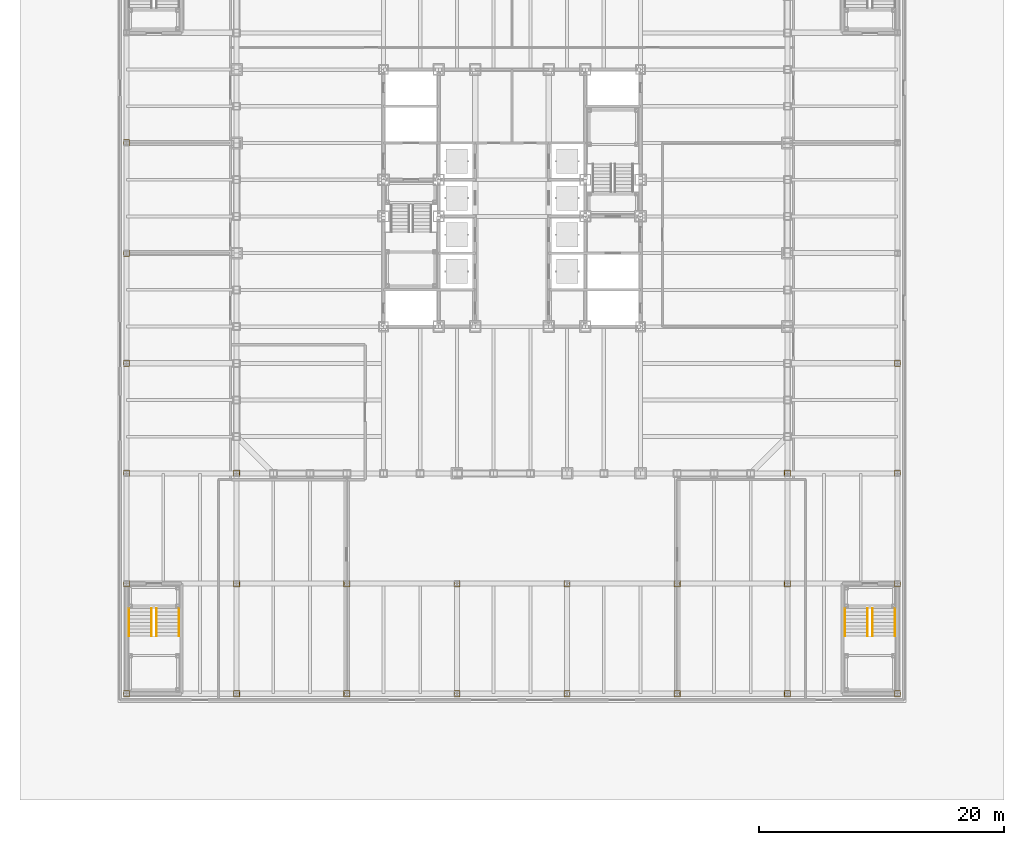
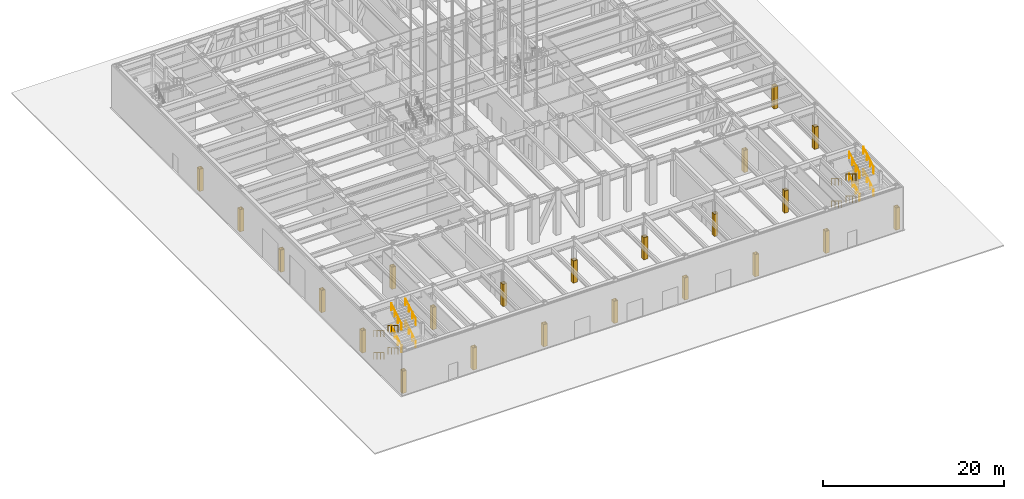
# One storey, part 16 of 35: 24 coverings, 16 railings.
"""IFC4 building model written with IfcOpenShell, lengths in metres."""

from ifc_helpers import new_model, si_unit, direction, frame, origin, origin_2d, place, context, subcontext, project, spatial, polyline, circle, outline, extrude, material, layer, layer_set, type_object, element, save


model = new_model("IFC4")

# Units and contexts
model_context = context("Model", 3, precision=1e-05, world=origin(), true_north=direction((0.0, 1.0)))
body_context = subcontext(model_context, "Body", "Model", "MODEL_VIEW")
ifc_project = project(units=[si_unit("LENGTHUNIT", "METRE"), si_unit("AREAUNIT", "SQUARE_METRE"), si_unit("VOLUMEUNIT", "CUBIC_METRE"), si_unit("PLANEANGLEUNIT", "RADIAN"), si_unit("MASSUNIT", "GRAM", prefix="KILO")], contexts=[model_context])

# Site, building, storey
site_placement = place(None, origin())
site = spatial("IfcSite", under=ifc_project, at=site_placement, CompositionType="ELEMENT")
building_placement = place(site_placement, origin())
building = spatial("IfcBuilding", under=site, at=building_placement, Name="Chuquiago Exchange Tower", CompositionType="ELEMENT")
storey_placement = place(building_placement, origin())
storey = spatial("IfcBuildingStorey", under=building, at=storey_placement, Name="L00", CompositionType="ELEMENT", Elevation=0.0)

# Coverings
ifc_material_1 = material(Name="Pale metal sheet casing on rails", Category="aluminium")
ifc_layer = layer(ifc_material_1, 0.050048828125)
ifc_layer_set = layer_set([ifc_layer], Name="CS1 column casing 50")
covering_type = type_object("IfcCoveringType", Name="CS1 column casing 50", PredefinedType="CLADDING", material=ifc_layer_set)
covering_1_placement = place(storey_placement, origin())
element("IfcCovering", 1, at=covering_1_placement, inside=storey, type_object=covering_type, Name="Column casing L00", PredefinedType="CLADDING", context=body_context, shape_type="SweptSolid", body=[
    extrude(outline(polyline([(-9.255615234375, -18.26708984375), (-8.744384765625, -18.26708984375), (-8.744384765625, -17.73291015625), (-9.255615234375, -17.73291015625), (-9.255615234375, -18.26708984375)]), holes=[polyline([(-9.205810546875, -18.21728515625), (-9.205810546875, -17.78271484375), (-8.794189453125, -17.78271484375), (-8.794189453125, -18.21728515625), (-9.205810546875, -18.21728515625)])]), origin(), (0.0, 0.0, 1.0), 3.0),
])
covering_2_placement = place(storey_placement, origin())
element("IfcCovering", 2, at=covering_2_placement, inside=storey, type_object=covering_type, Name="Column casing L00", PredefinedType="CLADDING", context=body_context, shape_type="SweptSolid", body=[
    extrude(outline(polyline([(-9.255615234375, -9.26708984375), (-8.744384765625, -9.26708984375), (-8.744384765625, -8.73291015625), (-9.255615234375, -8.73291015625), (-9.255615234375, -9.26708984375)]), holes=[polyline([(-9.205810546875, -9.21728515625), (-9.205810546875, -8.78271484375), (-8.794189453125, -8.78271484375), (-8.794189453125, -9.21728515625), (-9.205810546875, -9.21728515625)])]), origin(), (0.0, 0.0, 1.0), 3.0),
])
covering_3_placement = place(storey_placement, origin())
element("IfcCovering", 3, at=covering_3_placement, inside=storey, type_object=covering_type, Name="Column casing L00", PredefinedType="CLADDING", context=body_context, shape_type="SweptSolid", body=[
    extrude(outline(polyline([(-9.255615234375, -0.26708984375), (-8.744384765625, -0.26708984375), (-8.744384765625, 0.26708984375), (-9.255615234375, 0.26708984375), (-9.255615234375, -0.26708984375)]), holes=[polyline([(-9.205810546875, -0.21728515625), (-9.205810546875, 0.21728515625), (-8.794189453125, 0.21728515625), (-8.794189453125, -0.21728515625), (-9.205810546875, -0.21728515625)])]), origin(), (0.0, 0.0, 1.0), 3.0),
])
covering_4_placement = place(storey_placement, origin())
element("IfcCovering", 4, at=covering_4_placement, inside=storey, type_object=covering_type, Name="Column casing L00", PredefinedType="CLADDING", context=body_context, shape_type="SweptSolid", body=[
    extrude(outline(polyline([(-9.255615234375, 8.73291015625), (-8.744384765625, 8.73291015625), (-8.744384765625, 9.26708984375), (-9.255615234375, 9.26708984375), (-9.255615234375, 8.73291015625)]), holes=[polyline([(-9.205810546875, 8.78271484375), (-9.205810546875, 9.21728515625), (-8.794189453125, 9.21728515625), (-8.794189453125, 8.78271484375), (-9.205810546875, 8.78271484375)])]), origin(), (0.0, 0.0, 1.0), 3.0),
])
covering_5_placement = place(storey_placement, origin())
element("IfcCovering", 5, at=covering_5_placement, inside=storey, type_object=covering_type, Name="Column casing L00", PredefinedType="CLADDING", context=body_context, shape_type="SweptSolid", body=[
    extrude(outline(polyline([(-9.255615234375, 17.73291015625), (-8.744384765625, 17.73291015625), (-8.744384765625, 18.26708984375), (-9.255615234375, 18.26708984375), (-9.255615234375, 17.73291015625)]), holes=[polyline([(-9.205810546875, 17.78271484375), (-9.205810546875, 18.21728515625), (-8.794189453125, 18.21728515625), (-8.794189453125, 17.78271484375), (-9.205810546875, 17.78271484375)])]), origin(), (0.0, 0.0, 1.0), 3.0),
])
covering_6_placement = place(storey_placement, origin())
element("IfcCovering", 6, at=covering_6_placement, inside=storey, type_object=covering_type, Name="Column casing L00", PredefinedType="CLADDING", context=body_context, shape_type="SweptSolid", body=[
    extrude(outline(polyline([(-9.255615234375, 26.73291015625), (-8.744384765625, 26.73291015625), (-8.744384765625, 27.26708984375), (-9.255615234375, 27.26708984375), (-9.255615234375, 26.73291015625)]), holes=[polyline([(-9.205810546875, 26.78271484375), (-9.205810546875, 27.21728515625), (-8.794189453125, 27.21728515625), (-8.794189453125, 26.78271484375), (-9.205810546875, 26.78271484375)])]), origin(), (0.0, 0.0, 1.0), 3.0),
])
covering_7_placement = place(storey_placement, origin())
element("IfcCovering", 7, at=covering_7_placement, inside=storey, type_object=covering_type, Name="Column casing L00", PredefinedType="CLADDING", context=body_context, shape_type="SweptSolid", body=[
    extrude(outline(polyline([(-0.255615234375, -18.26708984375), (0.255615234375, -18.26708984375), (0.255615234375, -17.73291015625), (-0.255615234375, -17.73291015625), (-0.255615234375, -18.26708984375)]), holes=[polyline([(-0.205810546875, -18.21728515625), (-0.205810546875, -17.78271484375), (0.205810546875, -17.78271484375), (0.205810546875, -18.21728515625), (-0.205810546875, -18.21728515625)])]), origin(), (0.0, 0.0, 1.0), 3.0),
])
covering_8_placement = place(storey_placement, origin())
element("IfcCovering", 8, at=covering_8_placement, inside=storey, type_object=covering_type, Name="Column casing L00", PredefinedType="CLADDING", context=body_context, shape_type="SweptSolid", body=[
    extrude(outline(polyline([(-0.255615234375, -9.26708984375), (0.255615234375, -9.26708984375), (0.255615234375, -8.73291015625), (-0.255615234375, -8.73291015625), (-0.255615234375, -9.26708984375)]), holes=[polyline([(-0.205810546875, -9.21728515625), (-0.205810546875, -8.78271484375), (0.205810546875, -8.78271484375), (0.205810546875, -9.21728515625), (-0.205810546875, -9.21728515625)])]), origin(), (0.0, 0.0, 1.0), 3.0),
])
covering_9_placement = place(storey_placement, origin())
element("IfcCovering", 9, at=covering_9_placement, inside=storey, type_object=covering_type, Name="Column casing L00", PredefinedType="CLADDING", context=body_context, shape_type="SweptSolid", body=[
    extrude(outline(polyline([(-0.255615234375, -0.26708984375), (0.255615234375, -0.26708984375), (0.255615234375, 0.26708984375), (-0.255615234375, 0.26708984375), (-0.255615234375, -0.26708984375)]), holes=[polyline([(-0.205810546875, -0.21728515625), (-0.205810546875, 0.21728515625), (0.205810546875, 0.21728515625), (0.205810546875, -0.21728515625), (-0.205810546875, -0.21728515625)])]), origin(), (0.0, 0.0, 1.0), 3.0),
])
covering_10_placement = place(storey_placement, origin())
element("IfcCovering", 10, at=covering_10_placement, inside=storey, type_object=covering_type, Name="Column casing L00", PredefinedType="CLADDING", context=body_context, shape_type="SweptSolid", body=[
    extrude(outline(polyline([(8.744384765625, -18.26708984375), (9.255615234375, -18.26708984375), (9.255615234375, -17.73291015625), (8.744384765625, -17.73291015625), (8.744384765625, -18.26708984375)]), holes=[polyline([(8.794189453125, -18.21728515625), (8.794189453125, -17.78271484375), (9.205810546875, -17.78271484375), (9.205810546875, -18.21728515625), (8.794189453125, -18.21728515625)])]), origin(), (0.0, 0.0, 1.0), 3.0),
])
covering_11_placement = place(storey_placement, origin())
element("IfcCovering", 11, at=covering_11_placement, inside=storey, type_object=covering_type, Name="Column casing L00", PredefinedType="CLADDING", context=body_context, shape_type="SweptSolid", body=[
    extrude(outline(polyline([(8.744384765625, -9.26708984375), (9.255615234375, -9.26708984375), (9.255615234375, -8.73291015625), (8.744384765625, -8.73291015625), (8.744384765625, -9.26708984375)]), holes=[polyline([(8.794189453125, -9.21728515625), (8.794189453125, -8.78271484375), (9.205810546875, -8.78271484375), (9.205810546875, -9.21728515625), (8.794189453125, -9.21728515625)])]), origin(), (0.0, 0.0, 1.0), 3.0),
])
covering_12_placement = place(storey_placement, origin())
element("IfcCovering", 12, at=covering_12_placement, inside=storey, type_object=covering_type, Name="Column casing L00", PredefinedType="CLADDING", context=body_context, shape_type="SweptSolid", body=[
    extrude(outline(polyline([(17.744384765625, -18.26708984375), (18.255615234375, -18.26708984375), (18.255615234375, -17.73291015625), (17.744384765625, -17.73291015625), (17.744384765625, -18.26708984375)]), holes=[polyline([(17.794189453125, -18.21728515625), (17.794189453125, -17.78271484375), (18.205810546875, -17.78271484375), (18.205810546875, -18.21728515625), (17.794189453125, -18.21728515625)])]), origin(), (0.0, 0.0, 1.0), 3.0),
])
covering_13_placement = place(storey_placement, origin())
element("IfcCovering", 13, at=covering_13_placement, inside=storey, type_object=covering_type, Name="Column casing L00", PredefinedType="CLADDING", context=body_context, shape_type="SweptSolid", body=[
    extrude(outline(polyline([(17.744384765625, -9.26708984375), (18.255615234375, -9.26708984375), (18.255615234375, -8.73291015625), (17.744384765625, -8.73291015625), (17.744384765625, -9.26708984375)]), holes=[polyline([(17.794189453125, -9.21728515625), (17.794189453125, -8.78271484375), (18.205810546875, -8.78271484375), (18.205810546875, -9.21728515625), (17.794189453125, -9.21728515625)])]), origin(), (0.0, 0.0, 1.0), 3.0),
])
covering_14_placement = place(storey_placement, origin())
element("IfcCovering", 14, at=covering_14_placement, inside=storey, type_object=covering_type, Name="Column casing L00", PredefinedType="CLADDING", context=body_context, shape_type="SweptSolid", body=[
    extrude(outline(polyline([(26.744384765625, -18.26708984375), (27.255615234375, -18.26708984375), (27.255615234375, -17.73291015625), (26.744384765625, -17.73291015625), (26.744384765625, -18.26708984375)]), holes=[polyline([(26.794189453125, -18.21728515625), (26.794189453125, -17.78271484375), (27.205810546875, -17.78271484375), (27.205810546875, -18.21728515625), (26.794189453125, -18.21728515625)])]), origin(), (0.0, 0.0, 1.0), 3.0),
])
covering_15_placement = place(storey_placement, origin())
element("IfcCovering", 15, at=covering_15_placement, inside=storey, type_object=covering_type, Name="Column casing L00", PredefinedType="CLADDING", context=body_context, shape_type="SweptSolid", body=[
    extrude(outline(polyline([(26.744384765625, -9.26708984375), (27.255615234375, -9.26708984375), (27.255615234375, -8.73291015625), (26.744384765625, -8.73291015625), (26.744384765625, -9.26708984375)]), holes=[polyline([(26.794189453125, -9.21728515625), (26.794189453125, -8.78271484375), (27.205810546875, -8.78271484375), (27.205810546875, -9.21728515625), (26.794189453125, -9.21728515625)])]), origin(), (0.0, 0.0, 1.0), 3.0),
])
covering_16_placement = place(storey_placement, origin())
element("IfcCovering", 16, at=covering_16_placement, inside=storey, type_object=covering_type, Name="Column casing L00", PredefinedType="CLADDING", context=body_context, shape_type="SweptSolid", body=[
    extrude(outline(polyline([(35.744384765625, -18.26708984375), (36.255615234375, -18.26708984375), (36.255615234375, -17.73291015625), (35.744384765625, -17.73291015625), (35.744384765625, -18.26708984375)]), holes=[polyline([(35.794189453125, -18.21728515625), (35.794189453125, -17.78271484375), (36.205810546875, -17.78271484375), (36.205810546875, -18.21728515625), (35.794189453125, -18.21728515625)])]), origin(), (0.0, 0.0, 1.0), 3.0),
])
covering_17_placement = place(storey_placement, origin())
element("IfcCovering", 17, at=covering_17_placement, inside=storey, type_object=covering_type, Name="Column casing L00", PredefinedType="CLADDING", context=body_context, shape_type="SweptSolid", body=[
    extrude(outline(polyline([(35.744384765625, -9.26708984375), (36.255615234375, -9.26708984375), (36.255615234375, -8.73291015625), (35.744384765625, -8.73291015625), (35.744384765625, -9.26708984375)]), holes=[polyline([(35.794189453125, -9.21728515625), (35.794189453125, -8.78271484375), (36.205810546875, -8.78271484375), (36.205810546875, -9.21728515625), (35.794189453125, -9.21728515625)])]), origin(), (0.0, 0.0, 1.0), 3.0),
])
covering_18_placement = place(storey_placement, origin())
element("IfcCovering", 18, at=covering_18_placement, inside=storey, type_object=covering_type, Name="Column casing L00", PredefinedType="CLADDING", context=body_context, shape_type="SweptSolid", body=[
    extrude(outline(polyline([(44.744384765625, -18.26708984375), (45.255615234375, -18.26708984375), (45.255615234375, -17.73291015625), (44.744384765625, -17.73291015625), (44.744384765625, -18.26708984375)]), holes=[polyline([(44.794189453125, -18.21728515625), (44.794189453125, -17.78271484375), (45.205810546875, -17.78271484375), (45.205810546875, -18.21728515625), (44.794189453125, -18.21728515625)])]), origin(), (0.0, 0.0, 1.0), 3.0),
])
covering_19_placement = place(storey_placement, origin())
element("IfcCovering", 19, at=covering_19_placement, inside=storey, type_object=covering_type, Name="Column casing L00", PredefinedType="CLADDING", context=body_context, shape_type="SweptSolid", body=[
    extrude(outline(polyline([(44.744384765625, -9.26708984375), (45.255615234375, -9.26708984375), (45.255615234375, -8.73291015625), (44.744384765625, -8.73291015625), (44.744384765625, -9.26708984375)]), holes=[polyline([(44.794189453125, -9.21728515625), (44.794189453125, -8.78271484375), (45.205810546875, -8.78271484375), (45.205810546875, -9.21728515625), (44.794189453125, -9.21728515625)])]), origin(), (0.0, 0.0, 1.0), 3.0),
])
covering_20_placement = place(storey_placement, origin())
element("IfcCovering", 20, at=covering_20_placement, inside=storey, type_object=covering_type, Name="Column casing L00", PredefinedType="CLADDING", context=body_context, shape_type="SweptSolid", body=[
    extrude(outline(polyline([(44.744384765625, -0.26708984375), (45.255615234375, -0.26708984375), (45.255615234375, 0.26708984375), (44.744384765625, 0.26708984375), (44.744384765625, -0.26708984375)]), holes=[polyline([(44.794189453125, -0.21728515625), (44.794189453125, 0.21728515625), (45.205810546875, 0.21728515625), (45.205810546875, -0.21728515625), (44.794189453125, -0.21728515625)])]), origin(), (0.0, 0.0, 1.0), 3.0),
])
covering_21_placement = place(storey_placement, origin())
element("IfcCovering", 21, at=covering_21_placement, inside=storey, type_object=covering_type, Name="Column casing L00", PredefinedType="CLADDING", context=body_context, shape_type="SweptSolid", body=[
    extrude(outline(polyline([(53.744384765625, -18.26708984375), (54.255615234375, -18.26708984375), (54.255615234375, -17.73291015625), (53.744384765625, -17.73291015625), (53.744384765625, -18.26708984375)]), holes=[polyline([(53.794189453125, -18.21728515625), (53.794189453125, -17.78271484375), (54.205810546875, -17.78271484375), (54.205810546875, -18.21728515625), (53.794189453125, -18.21728515625)])]), origin(), (0.0, 0.0, 1.0), 3.0),
])
covering_22_placement = place(storey_placement, origin())
element("IfcCovering", 22, at=covering_22_placement, inside=storey, type_object=covering_type, Name="Column casing L00", PredefinedType="CLADDING", context=body_context, shape_type="SweptSolid", body=[
    extrude(outline(polyline([(53.744384765625, -9.26708984375), (54.255615234375, -9.26708984375), (54.255615234375, -8.73291015625), (53.744384765625, -8.73291015625), (53.744384765625, -9.26708984375)]), holes=[polyline([(53.794189453125, -9.21728515625), (53.794189453125, -8.78271484375), (54.205810546875, -8.78271484375), (54.205810546875, -9.21728515625), (53.794189453125, -9.21728515625)])]), origin(), (0.0, 0.0, 1.0), 3.0),
])
covering_23_placement = place(storey_placement, origin())
element("IfcCovering", 23, at=covering_23_placement, inside=storey, type_object=covering_type, Name="Column casing L00", PredefinedType="CLADDING", context=body_context, shape_type="SweptSolid", body=[
    extrude(outline(polyline([(53.744384765625, -0.26708984375), (54.255615234375, -0.26708984375), (54.255615234375, 0.26708984375), (53.744384765625, 0.26708984375), (53.744384765625, -0.26708984375)]), holes=[polyline([(53.794189453125, -0.21728515625), (53.794189453125, 0.21728515625), (54.205810546875, 0.21728515625), (54.205810546875, -0.21728515625), (53.794189453125, -0.21728515625)])]), origin(), (0.0, 0.0, 1.0), 3.0),
])
covering_24_placement = place(storey_placement, origin())
element("IfcCovering", 24, at=covering_24_placement, inside=storey, type_object=covering_type, Name="Column casing L00", PredefinedType="CLADDING", context=body_context, shape_type="SweptSolid", body=[
    extrude(outline(polyline([(53.744384765625, 8.73291015625), (54.255615234375, 8.73291015625), (54.255615234375, 9.26708984375), (53.744384765625, 9.26708984375), (53.744384765625, 8.73291015625)]), holes=[polyline([(53.794189453125, 8.78271484375), (53.794189453125, 9.21728515625), (54.205810546875, 9.21728515625), (54.205810546875, 8.78271484375), (53.794189453125, 8.78271484375)])]), origin(), (0.0, 0.0, 1.0), 3.0),
])

# Railings
ifc_material_2 = material(Name="Pale metal handrail", Category="steel")
railing_type = type_object("IfcRailingType", Name="HR1 handrail 900", PredefinedType="HANDRAIL", material=ifc_material_2)
for number, where, name in (
    (25, (-8.7900390625, -11.050048828125, 0.166748046875), "Handrail PS1 L00 flight 1"),
    (26, (-6.9599609375, -11.050048828125, 0.166748046875), "Handrail PS1 L00 flight 1"),
):
    element("IfcRailing", number, at=place(storey_placement, frame(where)), inside=storey, type_object=railing_type, Name=name, PredefinedType="HANDRAIL", context=body_context, shape_type="SweptSolid", body=[
        extrude(circle(Radius=0.02392578125, at=origin_2d()), frame((0.0, 0.0, 0.8759765625), z_axis=(0.0, -0.859305625298, 0.511462454469), x_axis=(1.0, 0.0, 0.0)), (0.0, 0.0, 1.0), 2.606689453125),
        extrude(circle(Radius=0.02099609375, at=origin_2d()), origin(), (0.0, 0.0, 1.0), 0.851806640625),
        extrude(circle(Radius=0.02099609375, at=origin_2d()), frame((0.0, -0.74658203125, 0.4443359375)), (0.0, 0.0, 1.0), 0.851806640625),
        extrude(circle(Radius=0.02099609375, at=origin_2d()), frame((0.0, -1.493408203125, 0.888916015625)), (0.0, 0.0, 1.0), 0.851806640625),
        extrude(circle(Radius=0.02099609375, at=origin_2d()), frame((0.0, -2.239990234375, 1.333251953125)), (0.0, 0.0, 1.0), 0.851806640625),
    ])
for number, where, name in (
    (27, (-4.7099609375, -13.2900390625, 1.666748046875), "Handrail PS1 L00 flight 2"),
    (28, (-6.5400390625, -13.2900390625, 1.666748046875), "Handrail PS1 L00 flight 2"),
):
    element("IfcRailing", number, at=place(storey_placement, frame(where)), inside=storey, type_object=railing_type, Name=name, PredefinedType="HANDRAIL", context=body_context, shape_type="SweptSolid", body=[
        extrude(circle(Radius=0.02392578125, at=origin_2d()), frame((0.0, 0.0, 0.8759765625), z_axis=(0.0, 0.859305625298, 0.511462454469), x_axis=(-1.0, 0.0, 0.0)), (0.0, 0.0, 1.0), 2.606689453125),
        extrude(circle(Radius=0.02099609375, at=origin_2d()), origin(), (0.0, 0.0, 1.0), 0.851806640625),
        extrude(circle(Radius=0.02099609375, at=origin_2d()), frame((0.0, 0.74658203125, 0.4443359375)), (0.0, 0.0, 1.0), 0.851806640625),
        extrude(circle(Radius=0.02099609375, at=origin_2d()), frame((0.0, 1.493408203125, 0.888916015625)), (0.0, 0.0, 1.0), 0.851806640625),
        extrude(circle(Radius=0.02099609375, at=origin_2d()), frame((0.0, 2.239990234375, 1.333251953125)), (0.0, 0.0, 1.0), 0.851806640625),
    ])
for number, where, name in (
    (29, (-8.7900390625, -11.050048828125, 3.166748046875), "Handrail PS1 L00 flight 3"),
    (30, (-6.9599609375, -11.050048828125, 3.166748046875), "Handrail PS1 L00 flight 3"),
):
    element("IfcRailing", number, at=place(storey_placement, frame(where)), inside=storey, type_object=railing_type, Name=name, PredefinedType="HANDRAIL", context=body_context, shape_type="SweptSolid", body=[
        extrude(circle(Radius=0.02392578125, at=origin_2d()), frame((0.0, 0.0, 0.8759765625), z_axis=(0.0, -0.859305625298, 0.511462454469), x_axis=(1.0, 0.0, 0.0)), (0.0, 0.0, 1.0), 2.606689453125),
        extrude(circle(Radius=0.02099609375, at=origin_2d()), origin(), (0.0, 0.0, 1.0), 0.851806640625),
        extrude(circle(Radius=0.02099609375, at=origin_2d()), frame((0.0, -0.74658203125, 0.4443359375)), (0.0, 0.0, 1.0), 0.851806640625),
        extrude(circle(Radius=0.02099609375, at=origin_2d()), frame((0.0, -1.493408203125, 0.888916015625)), (0.0, 0.0, 1.0), 0.851806640625),
        extrude(circle(Radius=0.02099609375, at=origin_2d()), frame((0.0, -2.239990234375, 1.333251953125)), (0.0, 0.0, 1.0), 0.851806640625),
    ])
for number, where, name in (
    (31, (-4.7099609375, -13.2900390625, 4.666748046875), "Handrail PS1 L00 flight 4"),
    (32, (-6.5400390625, -13.2900390625, 4.666748046875), "Handrail PS1 L00 flight 4"),
):
    element("IfcRailing", number, at=place(storey_placement, frame(where)), inside=storey, type_object=railing_type, Name=name, PredefinedType="HANDRAIL", context=body_context, shape_type="SweptSolid", body=[
        extrude(circle(Radius=0.02392578125, at=origin_2d()), frame((0.0, 0.0, 0.8759765625), z_axis=(0.0, 0.859305625298, 0.511462454469), x_axis=(-1.0, 0.0, 0.0)), (0.0, 0.0, 1.0), 2.606689453125),
        extrude(circle(Radius=0.02099609375, at=origin_2d()), origin(), (0.0, 0.0, 1.0), 0.851806640625),
        extrude(circle(Radius=0.02099609375, at=origin_2d()), frame((0.0, 0.74658203125, 0.4443359375)), (0.0, 0.0, 1.0), 0.851806640625),
        extrude(circle(Radius=0.02099609375, at=origin_2d()), frame((0.0, 1.493408203125, 0.888916015625)), (0.0, 0.0, 1.0), 0.851806640625),
        extrude(circle(Radius=0.02099609375, at=origin_2d()), frame((0.0, 2.239990234375, 1.333251953125)), (0.0, 0.0, 1.0), 0.851806640625),
    ])
for number, where, name in (
    (33, (49.7099609375, -11.050048828125, 0.166748046875), "Handrail PS2 L00 flight 1"),
    (34, (51.5400390625, -11.050048828125, 0.166748046875), "Handrail PS2 L00 flight 1"),
):
    element("IfcRailing", number, at=place(storey_placement, frame(where)), inside=storey, type_object=railing_type, Name=name, PredefinedType="HANDRAIL", context=body_context, shape_type="SweptSolid", body=[
        extrude(circle(Radius=0.02392578125, at=origin_2d()), frame((0.0, 0.0, 0.8759765625), z_axis=(0.0, -0.859305625298, 0.511462454469), x_axis=(1.0, 0.0, 0.0)), (0.0, 0.0, 1.0), 2.606689453125),
        extrude(circle(Radius=0.02099609375, at=origin_2d()), origin(), (0.0, 0.0, 1.0), 0.851806640625),
        extrude(circle(Radius=0.02099609375, at=origin_2d()), frame((0.0, -0.74658203125, 0.4443359375)), (0.0, 0.0, 1.0), 0.851806640625),
        extrude(circle(Radius=0.02099609375, at=origin_2d()), frame((0.0, -1.493408203125, 0.888916015625)), (0.0, 0.0, 1.0), 0.851806640625),
        extrude(circle(Radius=0.02099609375, at=origin_2d()), frame((0.0, -2.239990234375, 1.333251953125)), (0.0, 0.0, 1.0), 0.851806640625),
    ])
for number, where, name in (
    (35, (53.7900390625, -13.2900390625, 1.666748046875), "Handrail PS2 L00 flight 2"),
    (36, (51.9599609375, -13.2900390625, 1.666748046875), "Handrail PS2 L00 flight 2"),
):
    element("IfcRailing", number, at=place(storey_placement, frame(where)), inside=storey, type_object=railing_type, Name=name, PredefinedType="HANDRAIL", context=body_context, shape_type="SweptSolid", body=[
        extrude(circle(Radius=0.02392578125, at=origin_2d()), frame((0.0, 0.0, 0.8759765625), z_axis=(0.0, 0.859305625298, 0.511462454469), x_axis=(-1.0, 0.0, 0.0)), (0.0, 0.0, 1.0), 2.606689453125),
        extrude(circle(Radius=0.02099609375, at=origin_2d()), origin(), (0.0, 0.0, 1.0), 0.851806640625),
        extrude(circle(Radius=0.02099609375, at=origin_2d()), frame((0.0, 0.74658203125, 0.4443359375)), (0.0, 0.0, 1.0), 0.851806640625),
        extrude(circle(Radius=0.02099609375, at=origin_2d()), frame((0.0, 1.493408203125, 0.888916015625)), (0.0, 0.0, 1.0), 0.851806640625),
        extrude(circle(Radius=0.02099609375, at=origin_2d()), frame((0.0, 2.239990234375, 1.333251953125)), (0.0, 0.0, 1.0), 0.851806640625),
    ])
for number, where, name in (
    (37, (49.7099609375, -11.050048828125, 3.166748046875), "Handrail PS2 L00 flight 3"),
    (38, (51.5400390625, -11.050048828125, 3.166748046875), "Handrail PS2 L00 flight 3"),
):
    element("IfcRailing", number, at=place(storey_placement, frame(where)), inside=storey, type_object=railing_type, Name=name, PredefinedType="HANDRAIL", context=body_context, shape_type="SweptSolid", body=[
        extrude(circle(Radius=0.02392578125, at=origin_2d()), frame((0.0, 0.0, 0.8759765625), z_axis=(0.0, -0.859305625298, 0.511462454469), x_axis=(1.0, 0.0, 0.0)), (0.0, 0.0, 1.0), 2.606689453125),
        extrude(circle(Radius=0.02099609375, at=origin_2d()), origin(), (0.0, 0.0, 1.0), 0.851806640625),
        extrude(circle(Radius=0.02099609375, at=origin_2d()), frame((0.0, -0.74658203125, 0.4443359375)), (0.0, 0.0, 1.0), 0.851806640625),
        extrude(circle(Radius=0.02099609375, at=origin_2d()), frame((0.0, -1.493408203125, 0.888916015625)), (0.0, 0.0, 1.0), 0.851806640625),
        extrude(circle(Radius=0.02099609375, at=origin_2d()), frame((0.0, -2.239990234375, 1.333251953125)), (0.0, 0.0, 1.0), 0.851806640625),
    ])
for number, where, name in (
    (39, (53.7900390625, -13.2900390625, 4.666748046875), "Handrail PS2 L00 flight 4"),
    (40, (51.9599609375, -13.2900390625, 4.666748046875), "Handrail PS2 L00 flight 4"),
):
    element("IfcRailing", number, at=place(storey_placement, frame(where)), inside=storey, type_object=railing_type, Name=name, PredefinedType="HANDRAIL", context=body_context, shape_type="SweptSolid", body=[
        extrude(circle(Radius=0.02392578125, at=origin_2d()), frame((0.0, 0.0, 0.8759765625), z_axis=(0.0, 0.859305625298, 0.511462454469), x_axis=(-1.0, 0.0, 0.0)), (0.0, 0.0, 1.0), 2.606689453125),
        extrude(circle(Radius=0.02099609375, at=origin_2d()), origin(), (0.0, 0.0, 1.0), 0.851806640625),
        extrude(circle(Radius=0.02099609375, at=origin_2d()), frame((0.0, 0.74658203125, 0.4443359375)), (0.0, 0.0, 1.0), 0.851806640625),
        extrude(circle(Radius=0.02099609375, at=origin_2d()), frame((0.0, 1.493408203125, 0.888916015625)), (0.0, 0.0, 1.0), 0.851806640625),
        extrude(circle(Radius=0.02099609375, at=origin_2d()), frame((0.0, 2.239990234375, 1.333251953125)), (0.0, 0.0, 1.0), 0.851806640625),
    ])

save(model, "model.ifc")
